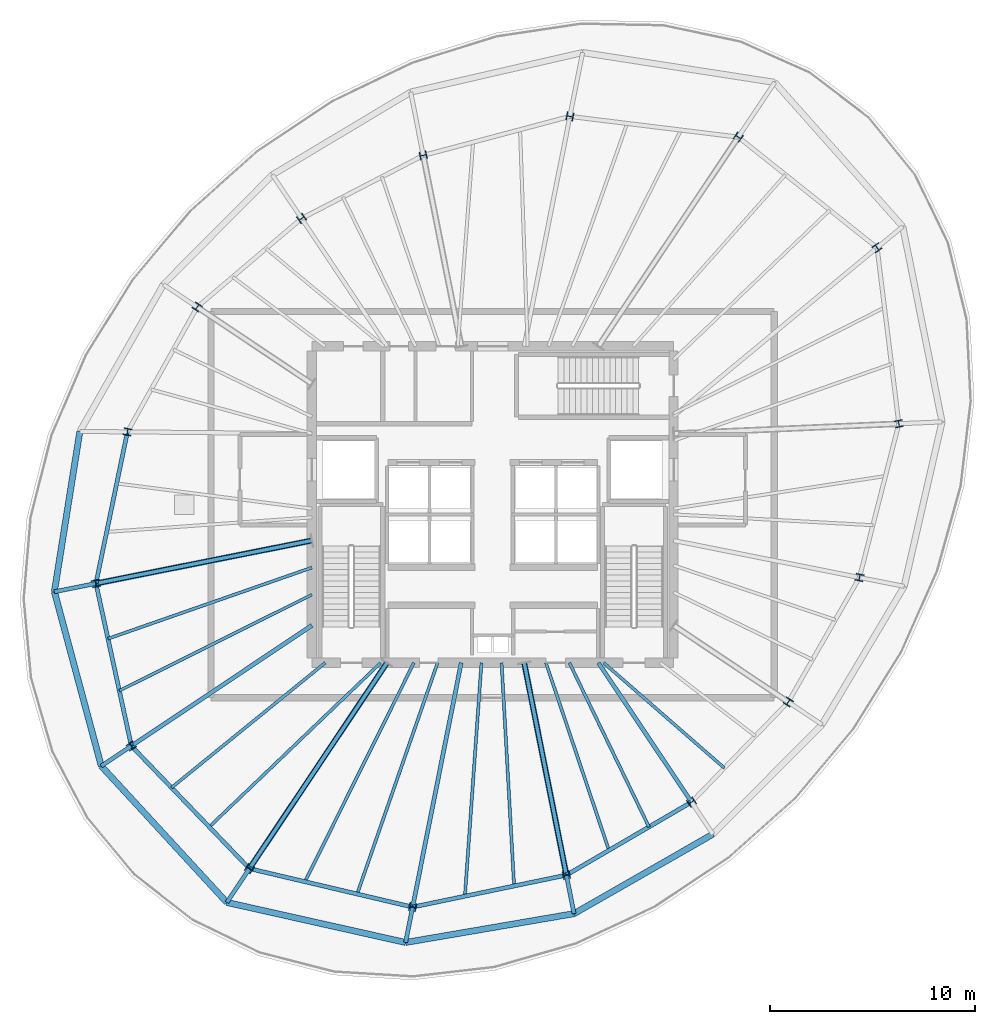
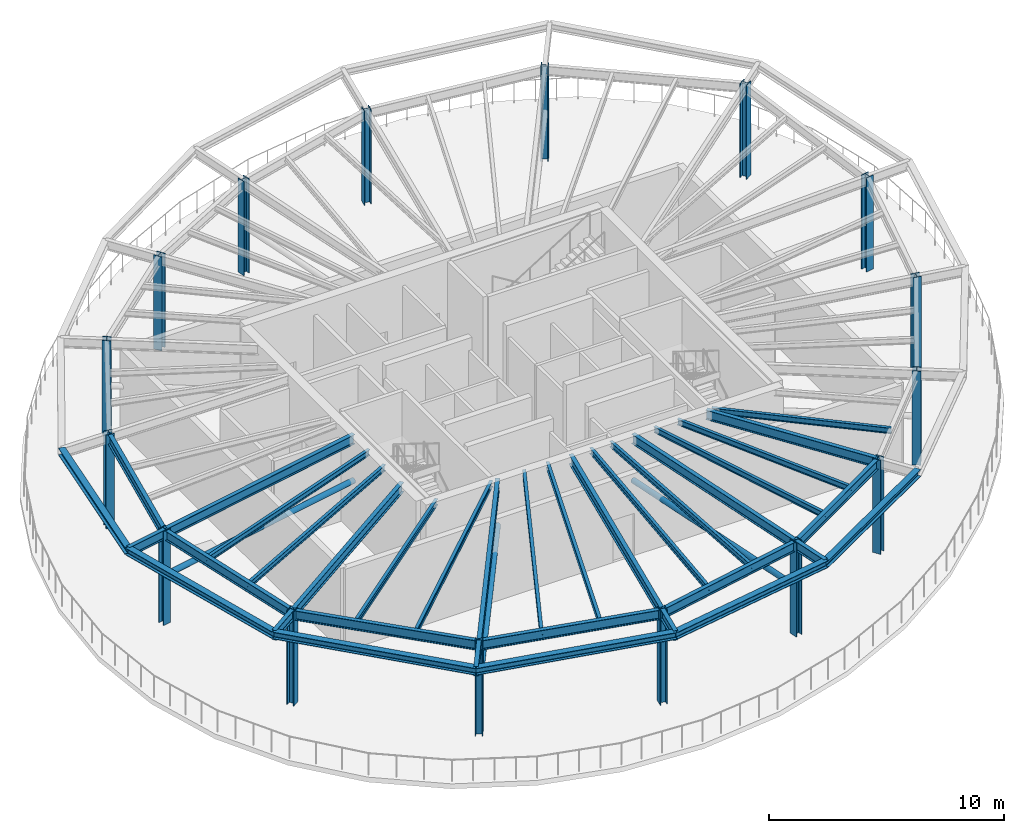
# One storey, part 1 of 8: 34 beams, 16 columns, 3 members.
"""IFC4 building model written with IfcOpenShell, lengths in metres."""

from ifc_helpers import new_model, si_unit, direction, frame, origin, origin_2d, place, context, subcontext, project, spatial, hollow_circle, i_section, extrude, source, transform, mapped, material, material_profile, profile_set, type_object, element, save


model = new_model("IFC4")

# Units and contexts
model_context = context("Model", 3, precision=1e-05, world=origin(), true_north=direction((0.0, 1.0)))
body_context = subcontext(model_context, "Body", "Model", "MODEL_VIEW")
ifc_project = project(units=[si_unit("LENGTHUNIT", "METRE"), si_unit("AREAUNIT", "SQUARE_METRE"), si_unit("VOLUMEUNIT", "CUBIC_METRE"), si_unit("PLANEANGLEUNIT", "RADIAN"), si_unit("MASSUNIT", "GRAM", prefix="KILO"), si_unit("THERMODYNAMICTEMPERATUREUNIT", "KELVIN")], contexts=[model_context])

# Site, building, storey
site_placement = place(None, origin())
site = spatial("IfcSite", under=ifc_project, at=site_placement, CompositionType="ELEMENT")
building_placement = place(site_placement, origin())
building = spatial("IfcBuilding", under=site, at=building_placement, Name="Kethvar Cultural Tower", CompositionType="ELEMENT")
storey_placement = place(building_placement, frame((0.0, 0.0, 218.39990234375)))
storey = spatial("IfcBuildingStorey", under=building, at=storey_placement, Name="L57", CompositionType="ELEMENT", Elevation=218.39990234375)

# Columns
ifc_material_1 = material(Name="Steel S460M", Category="steel")
ifc_material_profile_1 = material_profile(ifc_material_1, i_section(OverallWidth=0.39111328125, OverallDepth=0.3349609375, WebThickness=0.022705078125, FlangeThickness=0.033935546875, FilletRadius=0.014892578125, at=origin_2d()), Name="Steel S460M — HD400x463")
ifc_profile_set_1 = profile_set([ifc_material_profile_1], Name="Steel S460M — HD400x463")
column_type = type_object("IfcColumnType", Name="COL-HD463", PredefinedType="COLUMN", material=ifc_profile_set_1)
shared_shape_1 = source(origin(), body_context, "Body", "SweptSolid", [
    extrude(i_section(OverallWidth=0.39111328125, OverallDepth=0.3349609375, WebThickness=0.022705078125, FlangeThickness=0.033935546875, FilletRadius=0.014892578125, at=origin_2d()), origin(), (0.0, 0.0, 1.0), 4.89013671875),
])
for number, where, z_axis, x_axis, name in (
    (1, (66.56396484375, 31.731201171875, 0.0), (0.0, 0.0, 1.0), (0.980785280403, 0.195090322016, 0.0), "L57 Mega-Column MC-01"),
    (2, (65.504150390625, 40.297607421875, 0.0), (0.0, 0.0, 1.0), (0.831469612303, 0.55557023302, 0.0), "L57 Mega-Column MC-02"),
    (3, (58.748046875, 45.681396484375, 0.0), (0.0, 0.0, 1.0), (0.55557023302, 0.831469612303, 0.0), "L57 Mega-Column MC-03"),
    (4, (50.556884765625, 46.6875, 0.0), (0.0, 0.0, 1.0), (0.195090322016, 0.980785280403, 0.0), "L57 Mega-Column MC-04"),
    (5, (43.420654296875, 44.789306640625, 0.0), (0.0, 0.0, 1.0), (-0.195090322016, 0.980785280403, 0.0), "L57 Mega-Column MC-05"),
    (6, (37.498779296875, 41.720458984375, 0.0), (0.0, 0.0, 1.0), (-0.55557023302, 0.831469612303, 0.0), "L57 Mega-Column MC-06"),
    (7, (32.418212890625, 37.409423828125, 0.0), (0.0, 0.0, 1.0), (-0.831469612303, 0.55557023302, 0.0), "L57 Mega-Column MC-07"),
    (8, (29.02490234375, 31.335693359375, 0.0), (0.0, 0.0, 1.0), (-0.980785280403, 0.195090322016, 0.0), "L57 Mega-Column MC-08"),
    (9, (27.492919921875, 23.959716796875, 0.0), (0.0, 0.0, 1.0), (-0.980785280403, -0.195090322016, 0.0), "L57 Mega-Column MC-09"),
    (10, (29.217529296875, 16.0517578125, 0.0), (0.0, 0.0, 1.0), (-0.831469612303, -0.55557023302, 0.0), "L57 Mega-Column MC-10"),
    (11, (34.962646484375, 10.084228515625, 0.0), (0.0, 0.0, 1.0), (-0.55557023302, -0.831469612303, 0.0), "L57 Mega-Column MC-11"),
    (12, (42.903564453125, 8.2109375, 0.0), (0.0, 0.0, 1.0), (-0.195090322016, -0.980785280403, 0.0), "L57 Mega-Column MC-12"),
    (13, (50.38671875, 9.7685546875, 0.0), (0.0, 0.0, 1.0), (0.195090322016, -0.980785280403, 0.0), "L57 Mega-Column MC-13"),
    (14, (56.474609375, 13.32080078125, 0.0), (0.0, 0.0, 1.0), (0.55557023302, -0.831469612303, 0.0), "L57 Mega-Column MC-14"),
    (15, (61.1826171875, 18.18994140625, 0.0), (0.0, 0.0, 1.0), (0.831469612303, -0.55557023302, 0.0), "L57 Mega-Column MC-15"),
    (16, (64.648681640625, 24.249755859375, 0.0), (0.0, 0.0, 1.0), (0.980785280403, -0.195090322016, 0.0), "L57 Mega-Column MC-16"),
):
    element("IfcColumn", number, at=place(storey_placement, frame(where, z_axis=z_axis, x_axis=x_axis)), inside=storey, type_object=column_type, Name=name, PredefinedType="COLUMN", context=body_context, shape_type="MappedRepresentation", body=[
        mapped(shared_shape_1, transform((0.0, 0.0, 0.0), scale=1.0)),
    ])

# Beams
ifc_material_2 = material(Name="Steel S355J2", Category="steel")
ifc_material_profile_2 = material_profile(ifc_material_2, i_section(OverallWidth=0.199951171875, OverallDepth=0.5, WebThickness=0.01025390625, FlangeThickness=0.01611328125, FilletRadius=0.02099609375, at=origin_2d()), Name="Steel S355J2 — IPE500")
ifc_profile_set_2 = profile_set([ifc_material_profile_2], Name="Steel S355J2 — IPE500")
beam_type_1 = type_object("IfcBeamType", Name="BM-IPE500", PredefinedType="BEAM", material=ifc_profile_set_2)
shared_shape_2 = source(origin(), body_context, "Body", "SweptSolid", [
    extrude(i_section(OverallWidth=0.199951171875, OverallDepth=0.5, WebThickness=0.01025390625, FlangeThickness=0.01611328125, FilletRadius=0.02099609375, at=origin_2d()), origin(), (0.0, 0.0, 1.0), 10.712890625),
])
beam_1_placement = place(storey_placement, frame((38.0, 26.049560546875, 4.63818359375), z_axis=(-0.980787859831, -0.195077353908, 0.0), x_axis=(0.195077353908, -0.980787859831, 0.0)))
element("IfcBeam", 17, at=beam_1_placement, inside=storey, type_object=beam_type_1, Name="L57 Primary Radial Beam RB-09", PredefinedType="BEAM", context=body_context, shape_type="MappedRepresentation", body=[
    mapped(shared_shape_2, transform((0.0, 0.0, 0.0), scale=1.0)),
])
shared_shape_3 = source(origin(), body_context, "Body", "SweptSolid", [
    extrude(i_section(OverallWidth=0.199951171875, OverallDepth=0.5, WebThickness=0.01025390625, FlangeThickness=0.01611328125, FilletRadius=0.02099609375, at=origin_2d()), origin(), (0.0, 0.0, 1.0), 10.562744140625),
])
beam_2_placement = place(storey_placement, frame((38.0, 21.920166015625, 4.63818359375), z_axis=(-0.831463100754, -0.555579978117, 0.0), x_axis=(0.555579978117, -0.831463100754, 0.0)))
element("IfcBeam", 18, at=beam_2_placement, inside=storey, type_object=beam_type_1, Name="L57 Primary Radial Beam RB-10", PredefinedType="BEAM", context=body_context, shape_type="MappedRepresentation", body=[
    mapped(shared_shape_3, transform((0.0, 0.0, 0.0), scale=1.0)),
])
shared_shape_4 = source(origin(), body_context, "Body", "SweptSolid", [
    extrude(i_section(OverallWidth=0.199951171875, OverallDepth=0.5, WebThickness=0.01025390625, FlangeThickness=0.01611328125, FilletRadius=0.02099609375, at=origin_2d()), origin(), (0.0, 0.0, 1.0), 12.0458984375),
])
beam_3_placement = place(storey_placement, frame((41.655029296875, 20.10009765625, 4.63818359375), z_axis=(-0.555569831996, -0.831469880258, 0.0), x_axis=(0.831469880258, -0.555569831996, 0.0)))
element("IfcBeam", 19, at=beam_3_placement, inside=storey, type_object=beam_type_1, Name="L57 Primary Radial Beam RB-11", PredefinedType="BEAM", context=body_context, shape_type="MappedRepresentation", body=[
    mapped(shared_shape_4, transform((0.0, 0.0, 0.0), scale=1.0)),
])
shared_shape_5 = source(origin(), body_context, "Body", "SweptSolid", [
    extrude(i_section(OverallWidth=0.199951171875, OverallDepth=0.5, WebThickness=0.01025390625, FlangeThickness=0.01611328125, FilletRadius=0.02099609375, at=origin_2d()), origin(), (0.0, 0.0, 1.0), 12.1220703125),
])
beam_4_placement = place(storey_placement, frame((45.268310546875, 20.10009765625, 4.63818359375), z_axis=(-0.195078030057, -0.980787725346, 0.0), x_axis=(0.980787725346, -0.195078030057, 0.0)))
element("IfcBeam", 20, at=beam_4_placement, inside=storey, type_object=beam_type_1, Name="L57 Primary Radial Beam RB-12", PredefinedType="BEAM", context=body_context, shape_type="MappedRepresentation", body=[
    mapped(shared_shape_5, transform((0.0, 0.0, 0.0), scale=1.0)),
])
shared_shape_6 = source(origin(), body_context, "Body", "SweptSolid", [
    extrude(i_section(OverallWidth=0.199951171875, OverallDepth=0.5, WebThickness=0.01025390625, FlangeThickness=0.01611328125, FilletRadius=0.02099609375, at=origin_2d()), origin(), (0.0, 0.0, 1.0), 10.533935546875),
])
beam_5_placement = place(storey_placement, frame((48.33154296875, 20.10009765625, 4.63818359375), z_axis=(0.19509982917, -0.980783389265, 0.0), x_axis=(0.980783389265, 0.19509982917, 0.0)))
element("IfcBeam", 21, at=beam_5_placement, inside=storey, type_object=beam_type_1, Name="L57 Primary Radial Beam RB-13", PredefinedType="BEAM", context=body_context, shape_type="MappedRepresentation", body=[
    mapped(shared_shape_6, transform((0.0, 0.0, 0.0), scale=1.0)),
])
shared_shape_7 = source(origin(), body_context, "Body", "SweptSolid", [
    extrude(i_section(OverallWidth=0.199951171875, OverallDepth=0.5, WebThickness=0.01025390625, FlangeThickness=0.01611328125, FilletRadius=0.02099609375, at=origin_2d()), origin(), (0.0, 0.0, 1.0), 8.1533203125),
])
beam_6_placement = place(storey_placement, frame((51.945068359375, 20.10009765625, 4.63818359375), z_axis=(0.555549853936, -0.831483228809, 0.0), x_axis=(0.831483228809, 0.555549853936, 0.0)))
element("IfcBeam", 22, at=beam_6_placement, inside=storey, type_object=beam_type_1, Name="L57 Primary Radial Beam RB-14", PredefinedType="BEAM", context=body_context, shape_type="MappedRepresentation", body=[
    mapped(shared_shape_7, transform((0.0, 0.0, 0.0), scale=1.0)),
])
shared_shape_8 = source(origin(), body_context, "Body", "SweptSolid", [
    extrude(i_section(OverallWidth=0.199951171875, OverallDepth=0.5, WebThickness=0.01025390625, FlangeThickness=0.01611328125, FilletRadius=0.02099609375, at=origin_2d()), origin(), (0.0, 0.0, 1.0), 7.533447265625),
])
beam_7_placement = place(storey_placement, frame((29.02490234375, 31.335693359375, 4.63818359375), z_axis=(-0.203358905185, -0.979104261906, 0.0), x_axis=(0.979104261906, -0.203358905185, 0.0)))
element("IfcBeam", 23, at=beam_7_placement, inside=storey, type_object=beam_type_1, Name="L57 Column Ring Tie Beam CR-08", PredefinedType="BEAM", context=body_context, shape_type="MappedRepresentation", body=[
    mapped(shared_shape_8, transform((0.0, 0.0, 0.0), scale=1.0)),
])
shared_shape_9 = source(origin(), body_context, "Body", "SweptSolid", [
    extrude(i_section(OverallWidth=0.199951171875, OverallDepth=0.5, WebThickness=0.01025390625, FlangeThickness=0.01611328125, FilletRadius=0.02099609375, at=origin_2d()), origin(), (0.0, 0.0, 1.0), 8.09375),
])
beam_8_placement = place(storey_placement, frame((27.492919921875, 23.959716796875, 4.63818359375), z_axis=(0.213077030298, -0.977035403227, 0.0), x_axis=(0.977035403227, 0.213077030298, 0.0)))
element("IfcBeam", 24, at=beam_8_placement, inside=storey, type_object=beam_type_1, Name="L57 Column Ring Tie Beam CR-09", PredefinedType="BEAM", context=body_context, shape_type="MappedRepresentation", body=[
    mapped(shared_shape_9, transform((0.0, 0.0, 0.0), scale=1.0)),
])
ifc_material_profile_3 = material_profile(ifc_material_2, i_section(OverallWidth=0.14990234375, OverallDepth=0.300048828125, WebThickness=0.007080078125, FlangeThickness=0.0107421875, FilletRadius=0.014892578125, at=origin_2d()), Name="Steel S355J2 — IPE300")
ifc_profile_set_3 = profile_set([ifc_material_profile_3], Name="Steel S355J2 — IPE300")
beam_type_2 = type_object("IfcBeamType", Name="BM-J300", PredefinedType="JOIST", material=ifc_profile_set_3)
shared_shape_10 = source(origin(), body_context, "Body", "SweptSolid", [
    extrude(i_section(OverallWidth=0.14990234375, OverallDepth=0.300048828125, WebThickness=0.007080078125, FlangeThickness=0.0107421875, FilletRadius=0.014892578125, at=origin_2d()), origin(), (0.0, 0.0, 1.0), 10.506591796875),
])
beam_9_placement = place(storey_placement, frame((38.0, 24.73095703125, 4.738037109375), z_axis=(-0.944221858738, -0.329310008171, 0.0), x_axis=(0.329310008171, -0.944221858738, 0.0)))
element("IfcBeam", 25, at=beam_9_placement, inside=storey, type_object=beam_type_2, Name="L57 Composite Floor Joist J-09A", PredefinedType="JOIST", context=body_context, shape_type="MappedRepresentation", body=[
    mapped(shared_shape_10, transform((0.0, 0.0, 0.0), scale=1.0)),
])
shared_shape_11 = source(origin(), body_context, "Body", "SweptSolid", [
    extrude(i_section(OverallWidth=0.14990234375, OverallDepth=0.300048828125, WebThickness=0.007080078125, FlangeThickness=0.0107421875, FilletRadius=0.014892578125, at=origin_2d()), origin(), (0.0, 0.0, 1.0), 10.468994140625),
])
beam_10_placement = place(storey_placement, frame((38.0, 23.412109375, 4.738037109375), z_axis=(-0.894916380948, -0.446233874904, 0.0), x_axis=(0.446233874904, -0.894916380948, 0.0)))
element("IfcBeam", 26, at=beam_10_placement, inside=storey, type_object=beam_type_2, Name="L57 Composite Floor Joist J-09B", PredefinedType="JOIST", context=body_context, shape_type="MappedRepresentation", body=[
    mapped(shared_shape_11, transform((0.0, 0.0, 0.0), scale=1.0)),
])
shared_shape_12 = source(origin(), body_context, "Body", "SweptSolid", [
    extrude(i_section(OverallWidth=0.199951171875, OverallDepth=0.5, WebThickness=0.01025390625, FlangeThickness=0.01611328125, FilletRadius=0.02099609375, at=origin_2d()), origin(), (0.0, 0.0, 1.0), 8.28369140625),
])
beam_11_placement = place(storey_placement, frame((29.217529296875, 16.0517578125, 4.63818359375), z_axis=(0.693554459208, -0.72040420051, 0.0), x_axis=(0.72040420051, 0.693554459208, 0.0)))
element("IfcBeam", 27, at=beam_11_placement, inside=storey, type_object=beam_type_1, Name="L57 Column Ring Tie Beam CR-10", PredefinedType="BEAM", context=body_context, shape_type="MappedRepresentation", body=[
    mapped(shared_shape_12, transform((0.0, 0.0, 0.0), scale=1.0)),
])
shared_shape_13 = source(origin(), body_context, "Body", "SweptSolid", [
    extrude(i_section(OverallWidth=0.14990234375, OverallDepth=0.300048828125, WebThickness=0.007080078125, FlangeThickness=0.0107421875, FilletRadius=0.014892578125, at=origin_2d()), origin(), (0.0, 0.0, 1.0), 9.63671875),
])
beam_12_placement = place(storey_placement, frame((38.64990234375, 20.10009765625, 4.738037109375), z_axis=(-0.776090751649, -0.630621237515, 0.0), x_axis=(0.630621237515, -0.776090751649, 0.0)))
element("IfcBeam", 28, at=beam_12_placement, inside=storey, type_object=beam_type_2, Name="L57 Composite Floor Joist J-10A", PredefinedType="JOIST", context=body_context, shape_type="MappedRepresentation", body=[
    mapped(shared_shape_13, transform((0.0, 0.0, 0.0), scale=1.0)),
])
shared_shape_14 = source(origin(), body_context, "Body", "SweptSolid", [
    extrude(i_section(OverallWidth=0.14990234375, OverallDepth=0.300048828125, WebThickness=0.007080078125, FlangeThickness=0.0107421875, FilletRadius=0.014892578125, at=origin_2d()), origin(), (0.0, 0.0, 1.0), 11.548095703125),
])
beam_13_placement = place(storey_placement, frame((41.35009765625, 20.10009765625, 4.738037109375), z_axis=(-0.722268013472, -0.691613271067, 0.0), x_axis=(0.691613271067, -0.722268013472, 0.0)))
element("IfcBeam", 29, at=beam_13_placement, inside=storey, type_object=beam_type_2, Name="L57 Composite Floor Joist J-10B", PredefinedType="JOIST", context=body_context, shape_type="MappedRepresentation", body=[
    mapped(shared_shape_14, transform((0.0, 0.0, 0.0), scale=1.0)),
])
shared_shape_15 = source(origin(), body_context, "Body", "SweptSolid", [
    extrude(i_section(OverallWidth=0.199951171875, OverallDepth=0.5, WebThickness=0.01025390625, FlangeThickness=0.01611328125, FilletRadius=0.02099609375, at=origin_2d()), origin(), (0.0, 0.0, 1.0), 8.158935546875),
])
beam_14_placement = place(storey_placement, frame((34.962646484375, 10.084228515625, 4.63818359375), z_axis=(0.973284754953, -0.229601362748, 0.0), x_axis=(0.229601362748, 0.973284754953, 0.0)))
element("IfcBeam", 30, at=beam_14_placement, inside=storey, type_object=beam_type_1, Name="L57 Column Ring Tie Beam CR-11", PredefinedType="BEAM", context=body_context, shape_type="MappedRepresentation", body=[
    mapped(shared_shape_15, transform((0.0, 0.0, 0.0), scale=1.0)),
])
shared_shape_16 = source(origin(), body_context, "Body", "SweptSolid", [
    extrude(i_section(OverallWidth=0.14990234375, OverallDepth=0.300048828125, WebThickness=0.007080078125, FlangeThickness=0.0107421875, FilletRadius=0.014892578125, at=origin_2d()), origin(), (0.0, 0.0, 1.0), 11.900146484375),
])
beam_15_placement = place(storey_placement, frame((42.96630859375, 20.10009765625, 4.738037109375), z_axis=(-0.445686564233, -0.89518907861, 0.0), x_axis=(0.89518907861, -0.445686564233, 0.0)))
element("IfcBeam", 31, at=beam_15_placement, inside=storey, type_object=beam_type_2, Name="L57 Composite Floor Joist J-11A", PredefinedType="JOIST", context=body_context, shape_type="MappedRepresentation", body=[
    mapped(shared_shape_16, transform((0.0, 0.0, 0.0), scale=1.0)),
])
shared_shape_17 = source(origin(), body_context, "Body", "SweptSolid", [
    extrude(i_section(OverallWidth=0.14990234375, OverallDepth=0.300048828125, WebThickness=0.007080078125, FlangeThickness=0.0107421875, FilletRadius=0.014892578125, at=origin_2d()), origin(), (0.0, 0.0, 1.0), 11.914306640625),
])
beam_16_placement = place(storey_placement, frame((44.1201171875, 20.10009765625, 4.738037109375), z_axis=(-0.328722490218, -0.944426558513, 0.0), x_axis=(0.944426558513, -0.328722490218, 0.0)))
element("IfcBeam", 32, at=beam_16_placement, inside=storey, type_object=beam_type_2, Name="L57 Composite Floor Joist J-11B", PredefinedType="JOIST", context=body_context, shape_type="MappedRepresentation", body=[
    mapped(shared_shape_17, transform((0.0, 0.0, 0.0), scale=1.0)),
])
shared_shape_18 = source(origin(), body_context, "Body", "SweptSolid", [
    extrude(i_section(OverallWidth=0.199951171875, OverallDepth=0.5, WebThickness=0.01025390625, FlangeThickness=0.01611328125, FilletRadius=0.02099609375, at=origin_2d()), origin(), (0.0, 0.0, 1.0), 7.6435546875),
])
beam_17_placement = place(storey_placement, frame((42.903564453125, 8.2109375, 4.63818359375), z_axis=(0.979016278161, 0.203782057834, 0.0), x_axis=(-0.203782057834, 0.979016278161, 0.0)))
element("IfcBeam", 33, at=beam_17_placement, inside=storey, type_object=beam_type_1, Name="L57 Column Ring Tie Beam CR-12", PredefinedType="BEAM", context=body_context, shape_type="MappedRepresentation", body=[
    mapped(shared_shape_18, transform((0.0, 0.0, 0.0), scale=1.0)),
])
shared_shape_19 = source(origin(), body_context, "Body", "SweptSolid", [
    extrude(i_section(OverallWidth=0.14990234375, OverallDepth=0.300048828125, WebThickness=0.007080078125, FlangeThickness=0.0107421875, FilletRadius=0.014892578125, at=origin_2d()), origin(), (0.0, 0.0, 1.0), 11.38818359375),
])
beam_18_placement = place(storey_placement, frame((46.253662109375, 20.10009765625, 4.738037109375), z_axis=(-0.070767133242, -0.99749286356, 0.0), x_axis=(0.99749286356, -0.070767133242, 0.0)))
element("IfcBeam", 34, at=beam_18_placement, inside=storey, type_object=beam_type_2, Name="L57 Composite Floor Joist J-12A", PredefinedType="JOIST", context=body_context, shape_type="MappedRepresentation", body=[
    mapped(shared_shape_19, transform((0.0, 0.0, 0.0), scale=1.0)),
])
shared_shape_20 = source(origin(), body_context, "Body", "SweptSolid", [
    extrude(i_section(OverallWidth=0.14990234375, OverallDepth=0.300048828125, WebThickness=0.007080078125, FlangeThickness=0.0107421875, FilletRadius=0.014892578125, at=origin_2d()), origin(), (0.0, 0.0, 1.0), 10.878173828125),
])
beam_19_placement = place(storey_placement, frame((47.232421875, 20.10009765625, 4.738037109375), z_axis=(0.056062922639, -0.998427237562, 0.0), x_axis=(0.998427237562, 0.056062922639, 0.0)))
element("IfcBeam", 35, at=beam_19_placement, inside=storey, type_object=beam_type_2, Name="L57 Composite Floor Joist J-12B", PredefinedType="JOIST", context=body_context, shape_type="MappedRepresentation", body=[
    mapped(shared_shape_20, transform((0.0, 0.0, 0.0), scale=1.0)),
])
shared_shape_21 = source(origin(), body_context, "Body", "SweptSolid", [
    extrude(i_section(OverallWidth=0.199951171875, OverallDepth=0.5, WebThickness=0.01025390625, FlangeThickness=0.01611328125, FilletRadius=0.02099609375, at=origin_2d()), origin(), (0.0, 0.0, 1.0), 7.048583984375),
])
beam_20_placement = place(storey_placement, frame((50.38671875, 9.7685546875, 4.63818359375), z_axis=(0.863718593305, 0.503974395757, 0.0), x_axis=(-0.503974395757, 0.863718593305, 0.0)))
element("IfcBeam", 36, at=beam_20_placement, inside=storey, type_object=beam_type_1, Name="L57 Column Ring Tie Beam CR-13", PredefinedType="BEAM", context=body_context, shape_type="MappedRepresentation", body=[
    mapped(shared_shape_21, transform((0.0, 0.0, 0.0), scale=1.0)),
])
shared_shape_22 = source(origin(), body_context, "Body", "SweptSolid", [
    extrude(i_section(OverallWidth=0.14990234375, OverallDepth=0.300048828125, WebThickness=0.007080078125, FlangeThickness=0.0107421875, FilletRadius=0.014892578125, at=origin_2d()), origin(), (0.0, 0.0, 1.0), 9.625732421875),
])
beam_21_placement = place(storey_placement, frame((49.388916015625, 20.10009765625, 4.738037109375), z_axis=(0.31869202774, -0.947858318239, 0.0), x_axis=(0.947858318239, 0.31869202774, 0.0)))
element("IfcBeam", 37, at=beam_21_placement, inside=storey, type_object=beam_type_2, Name="L57 Composite Floor Joist J-13A", PredefinedType="JOIST", context=body_context, shape_type="MappedRepresentation", body=[
    mapped(shared_shape_22, transform((0.0, 0.0, 0.0), scale=1.0)),
])
shared_shape_23 = source(origin(), body_context, "Body", "SweptSolid", [
    extrude(i_section(OverallWidth=0.14990234375, OverallDepth=0.300048828125, WebThickness=0.007080078125, FlangeThickness=0.0107421875, FilletRadius=0.014892578125, at=origin_2d()), origin(), (0.0, 0.0, 1.0), 8.8759765625),
])
beam_22_placement = place(storey_placement, frame((50.532958984375, 20.10009765625, 4.738037109375), z_axis=(0.436210743691, -0.899844534955, 0.0), x_axis=(0.899844534955, 0.436210743691, 0.0)))
element("IfcBeam", 38, at=beam_22_placement, inside=storey, type_object=beam_type_2, Name="L57 Composite Floor Joist J-13B", PredefinedType="JOIST", context=body_context, shape_type="MappedRepresentation", body=[
    mapped(shared_shape_23, transform((0.0, 0.0, 0.0), scale=1.0)),
])
shared_shape_24 = source(origin(), body_context, "Body", "SweptSolid", [
    extrude(i_section(OverallWidth=0.14990234375, OverallDepth=0.300048828125, WebThickness=0.007080078125, FlangeThickness=0.0107421875, FilletRadius=0.014892578125, at=origin_2d()), origin(), (0.0, 0.0, 1.0), 7.7958984375),
])
beam_23_placement = place(storey_placement, frame((52.199951171875, 20.10009765625, 4.738037109375), z_axis=(0.753673681644, -0.657248797335, 0.0), x_axis=(0.657248797335, 0.753673681644, 0.0)))
element("IfcBeam", 39, at=beam_23_placement, inside=storey, type_object=beam_type_2, Name="L57 Composite Floor Joist J-14A", PredefinedType="JOIST", context=body_context, shape_type="MappedRepresentation", body=[
    mapped(shared_shape_24, transform((0.0, 0.0, 0.0), scale=1.0)),
])
shared_shape_25 = source(origin(), body_context, "Body", "SweptSolid", [
    extrude(i_section(OverallWidth=0.199951171875, OverallDepth=0.5, WebThickness=0.01025390625, FlangeThickness=0.01611328125, FilletRadius=0.02099609375, at=origin_2d()), origin(), (0.0, 0.0, 1.0), 2.061279296875),
])
beam_24_placement = place(storey_placement, frame((27.492919921875, 23.959716796875, 4.63818359375), z_axis=(-0.980766995217, -0.195182225349, 0.0), x_axis=(0.195182225349, -0.980766995217, 0.0)))
element("IfcBeam", 40, at=beam_24_placement, inside=storey, type_object=beam_type_1, Name="L57 Perimeter Cantilever Beam RC-09", PredefinedType="BEAM", context=body_context, shape_type="MappedRepresentation", body=[
    mapped(shared_shape_25, transform((0.0, 0.0, 0.0), scale=1.0)),
])
shared_shape_26 = source(origin(), body_context, "Body", "SweptSolid", [
    extrude(i_section(OverallWidth=0.199951171875, OverallDepth=0.5, WebThickness=0.01025390625, FlangeThickness=0.01611328125, FilletRadius=0.02099609375, at=origin_2d()), origin(), (0.0, 0.0, 1.0), 1.7607421875),
])
beam_25_placement = place(storey_placement, frame((29.217529296875, 16.0517578125, 4.63818359375), z_axis=(-0.831473922114, -0.555563782877, 0.0), x_axis=(0.555563782877, -0.831473922114, 0.0)))
element("IfcBeam", 41, at=beam_25_placement, inside=storey, type_object=beam_type_1, Name="L57 Perimeter Cantilever Beam RC-10", PredefinedType="BEAM", context=body_context, shape_type="MappedRepresentation", body=[
    mapped(shared_shape_26, transform((0.0, 0.0, 0.0), scale=1.0)),
])
shared_shape_27 = source(origin(), body_context, "Body", "SweptSolid", [
    extrude(i_section(OverallWidth=0.199951171875, OverallDepth=0.5, WebThickness=0.01025390625, FlangeThickness=0.01611328125, FilletRadius=0.02099609375, at=origin_2d()), origin(), (0.0, 0.0, 1.0), 1.98046875),
])
beam_26_placement = place(storey_placement, frame((34.962646484375, 10.084228515625, 4.63818359375), z_axis=(-0.555581745409, -0.831461919855, 0.0), x_axis=(0.831461919855, -0.555581745409, 0.0)))
element("IfcBeam", 42, at=beam_26_placement, inside=storey, type_object=beam_type_1, Name="L57 Perimeter Cantilever Beam RC-11", PredefinedType="BEAM", context=body_context, shape_type="MappedRepresentation", body=[
    mapped(shared_shape_27, transform((0.0, 0.0, 0.0), scale=1.0)),
])
shared_shape_28 = source(origin(), body_context, "Body", "SweptSolid", [
    extrude(i_section(OverallWidth=0.199951171875, OverallDepth=0.5, WebThickness=0.01025390625, FlangeThickness=0.01611328125, FilletRadius=0.02099609375, at=origin_2d()), origin(), (0.0, 0.0, 1.0), 1.75537109375),
])
beam_27_placement = place(storey_placement, frame((42.903564453125, 8.2109375, 4.63818359375), z_axis=(-0.195126441768, -0.980778095046, 0.0), x_axis=(0.980778095046, -0.195126441768, 0.0)))
element("IfcBeam", 43, at=beam_27_placement, inside=storey, type_object=beam_type_1, Name="L57 Perimeter Cantilever Beam RC-12", PredefinedType="BEAM", context=body_context, shape_type="MappedRepresentation", body=[
    mapped(shared_shape_28, transform((0.0, 0.0, 0.0), scale=1.0)),
])
shared_shape_29 = source(origin(), body_context, "Body", "SweptSolid", [
    extrude(i_section(OverallWidth=0.199951171875, OverallDepth=0.5, WebThickness=0.01025390625, FlangeThickness=0.01611328125, FilletRadius=0.02099609375, at=origin_2d()), origin(), (0.0, 0.0, 1.0), 1.91357421875),
])
beam_28_placement = place(storey_placement, frame((50.38671875, 9.7685546875, 4.63818359375), z_axis=(0.195085490211, -0.980786241497, 0.0), x_axis=(0.980786241497, 0.195085490211, 0.0)))
element("IfcBeam", 44, at=beam_28_placement, inside=storey, type_object=beam_type_1, Name="L57 Perimeter Cantilever Beam RC-13", PredefinedType="BEAM", context=body_context, shape_type="MappedRepresentation", body=[
    mapped(shared_shape_29, transform((0.0, 0.0, 0.0), scale=1.0)),
])
ifc_material_profile_4 = material_profile(ifc_material_2, i_section(OverallWidth=0.300048828125, OverallDepth=0.360107421875, WebThickness=0.012451171875, FlangeThickness=0.0224609375, FilletRadius=0.027099609375, at=origin_2d()), Name="Steel S355J2 — HEB360")
ifc_profile_set_4 = profile_set([ifc_material_profile_4], Name="Steel S355J2 — HEB360")
beam_type_3 = type_object("IfcBeamType", Name="BM-SP360", PredefinedType="SPANDREL", material=ifc_profile_set_4)
shared_shape_30 = source(origin(), body_context, "Body", "SweptSolid", [
    extrude(i_section(OverallWidth=0.300048828125, OverallDepth=0.360107421875, WebThickness=0.012451171875, FlangeThickness=0.0224609375, FilletRadius=0.027099609375, at=origin_2d()), origin(), (0.0, 0.0, 1.0), 7.898193359375),
])
beam_29_placement = place(storey_placement, frame((26.709716796875, 31.35791015625, 4.7080078125), z_axis=(-0.156810138419, -0.987628766536, 0.0), x_axis=(0.987628766536, -0.156810138419, 0.0)))
element("IfcBeam", 45, at=beam_29_placement, inside=storey, type_object=beam_type_3, Name="L57 Perimeter Spandrel Beam SP-08", PredefinedType="SPANDREL", context=body_context, shape_type="MappedRepresentation", body=[
    mapped(shared_shape_30, transform((0.0, 0.0, 0.0), scale=1.0)),
])
shared_shape_31 = source(origin(), body_context, "Body", "SweptSolid", [
    extrude(i_section(OverallWidth=0.300048828125, OverallDepth=0.360107421875, WebThickness=0.012451171875, FlangeThickness=0.0224609375, FilletRadius=0.027099609375, at=origin_2d()), origin(), (0.0, 0.0, 1.0), 8.785400390625),
])
beam_30_placement = place(storey_placement, frame((25.47119140625, 23.557373046875, 4.7080078125), z_axis=(0.259772159994, -0.965669935792, 0.0), x_axis=(0.965669935792, 0.259772159994, 0.0)))
element("IfcBeam", 46, at=beam_30_placement, inside=storey, type_object=beam_type_3, Name="L57 Perimeter Spandrel Beam SP-09", PredefinedType="SPANDREL", context=body_context, shape_type="MappedRepresentation", body=[
    mapped(shared_shape_31, transform((0.0, 0.0, 0.0), scale=1.0)),
])
shared_shape_32 = source(origin(), body_context, "Body", "SweptSolid", [
    extrude(i_section(OverallWidth=0.300048828125, OverallDepth=0.360107421875, WebThickness=0.012451171875, FlangeThickness=0.0224609375, FilletRadius=0.027099609375, at=origin_2d()), origin(), (0.0, 0.0, 1.0), 9.019775390625),
])
beam_31_placement = place(storey_placement, frame((27.75341796875, 15.073486328125, 4.7080078125), z_axis=(0.677283429511, -0.735722200365, 0.0), x_axis=(0.735722200365, 0.677283429511, 0.0)))
element("IfcBeam", 47, at=beam_31_placement, inside=storey, type_object=beam_type_3, Name="L57 Perimeter Spandrel Beam SP-10", PredefinedType="SPANDREL", context=body_context, shape_type="MappedRepresentation", body=[
    mapped(shared_shape_32, transform((0.0, 0.0, 0.0), scale=1.0)),
])
shared_shape_33 = source(origin(), body_context, "Body", "SweptSolid", [
    extrude(i_section(OverallWidth=0.300048828125, OverallDepth=0.360107421875, WebThickness=0.012451171875, FlangeThickness=0.0224609375, FilletRadius=0.027099609375, at=origin_2d()), origin(), (0.0, 0.0, 1.0), 8.914306640625),
])
beam_32_placement = place(storey_placement, frame((33.8623046875, 8.4375, 4.7080078125), z_axis=(0.975824835817, -0.218554088965, 0.0), x_axis=(0.218554088965, 0.975824835817, 0.0)))
element("IfcBeam", 48, at=beam_32_placement, inside=storey, type_object=beam_type_3, Name="L57 Perimeter Spandrel Beam SP-11", PredefinedType="SPANDREL", context=body_context, shape_type="MappedRepresentation", body=[
    mapped(shared_shape_33, transform((0.0, 0.0, 0.0), scale=1.0)),
])
shared_shape_34 = source(origin(), body_context, "Body", "SweptSolid", [
    extrude(i_section(OverallWidth=0.300048828125, OverallDepth=0.360107421875, WebThickness=0.012451171875, FlangeThickness=0.0224609375, FilletRadius=0.027099609375, at=origin_2d()), origin(), (0.0, 0.0, 1.0), 8.318115234375),
])
beam_33_placement = place(storey_placement, frame((42.56103515625, 6.4892578125, 4.7080078125), z_axis=(0.985681268188, 0.168619208699, 0.0), x_axis=(-0.168619208699, 0.985681268188, 0.0)))
element("IfcBeam", 49, at=beam_33_placement, inside=storey, type_object=beam_type_3, Name="L57 Perimeter Spandrel Beam SP-12", PredefinedType="SPANDREL", context=body_context, shape_type="MappedRepresentation", body=[
    mapped(shared_shape_34, transform((0.0, 0.0, 0.0), scale=1.0)),
])
shared_shape_35 = source(origin(), body_context, "Body", "SweptSolid", [
    extrude(i_section(OverallWidth=0.300048828125, OverallDepth=0.360107421875, WebThickness=0.012451171875, FlangeThickness=0.0224609375, FilletRadius=0.027099609375, at=origin_2d()), origin(), (0.0, 0.0, 1.0), 7.7861328125),
])
beam_34_placement = place(storey_placement, frame((50.760009765625, 7.891845703125, 4.7080078125), z_axis=(0.867829911814, 0.496861393309, 0.0), x_axis=(-0.496861393309, 0.867829911814, 0.0)))
element("IfcBeam", 50, at=beam_34_placement, inside=storey, type_object=beam_type_3, Name="L57 Perimeter Spandrel Beam SP-13", PredefinedType="SPANDREL", context=body_context, shape_type="MappedRepresentation", body=[
    mapped(shared_shape_35, transform((0.0, 0.0, 0.0), scale=1.0)),
])

# Members
ifc_material_profile_5 = material_profile(ifc_material_2, hollow_circle(Radius=0.136474609375, WallThickness=0.012451171875, at=origin_2d()), Name="Steel S355J2 — CHS273x12.5")
ifc_profile_set_5 = profile_set([ifc_material_profile_5], Name="Steel S355J2 — CHS273x12.5")
member_type = type_object("IfcMemberType", Name="MB-WIND-STR", PredefinedType="STRUT", material=ifc_profile_set_5)
shared_shape_36 = source(origin(), body_context, "Body", "SweptSolid", [
    extrude(hollow_circle(Radius=0.136474609375, WallThickness=0.012451171875, at=origin_2d()), origin(), (0.0, 0.0, 1.0), 10.712890625),
])
member_1_placement = place(storey_placement, frame((38.0, 26.049560546875, 2.445068359375), z_axis=(-0.980787859831, -0.195077353908, 0.0), x_axis=(0.195077353908, -0.980787859831, 0.0)))
element("IfcMember", 51, at=member_1_placement, inside=storey, type_object=member_type, Name="L57 Wind-Floor Tie Strut WS-05", PredefinedType="STRUT", context=body_context, shape_type="MappedRepresentation", body=[
    mapped(shared_shape_36, transform((0.0, 0.0, 0.0), scale=1.0)),
])
shared_shape_37 = source(origin(), body_context, "Body", "SweptSolid", [
    extrude(hollow_circle(Radius=0.136474609375, WallThickness=0.012451171875, at=origin_2d()), origin(), (0.0, 0.0, 1.0), 12.0458984375),
])
member_2_placement = place(storey_placement, frame((41.655029296875, 20.10009765625, 2.445068359375), z_axis=(-0.555569831996, -0.831469880258, 0.0), x_axis=(0.831469880258, -0.555569831996, 0.0)))
element("IfcMember", 52, at=member_2_placement, inside=storey, type_object=member_type, Name="L57 Wind-Floor Tie Strut WS-06", PredefinedType="STRUT", context=body_context, shape_type="MappedRepresentation", body=[
    mapped(shared_shape_37, transform((0.0, 0.0, 0.0), scale=1.0)),
])
shared_shape_38 = source(origin(), body_context, "Body", "SweptSolid", [
    extrude(hollow_circle(Radius=0.136474609375, WallThickness=0.012451171875, at=origin_2d()), origin(), (0.0, 0.0, 1.0), 10.533935546875),
])
member_3_placement = place(storey_placement, frame((48.33154296875, 20.10009765625, 2.445068359375), z_axis=(0.19509982917, -0.980783389265, 0.0), x_axis=(0.980783389265, 0.19509982917, 0.0)))
element("IfcMember", 53, at=member_3_placement, inside=storey, type_object=member_type, Name="L57 Wind-Floor Tie Strut WS-07", PredefinedType="STRUT", context=body_context, shape_type="MappedRepresentation", body=[
    mapped(shared_shape_38, transform((0.0, 0.0, 0.0), scale=1.0)),
])

save(model, "model.ifc")
